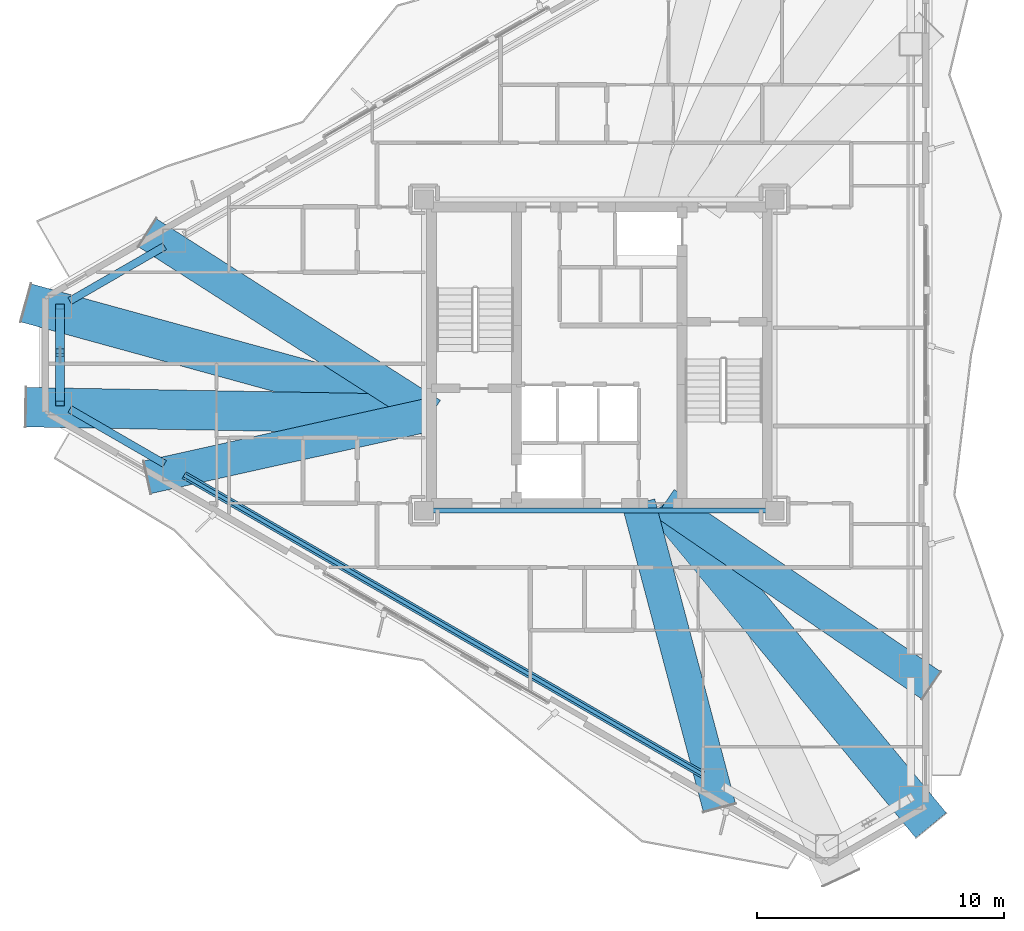
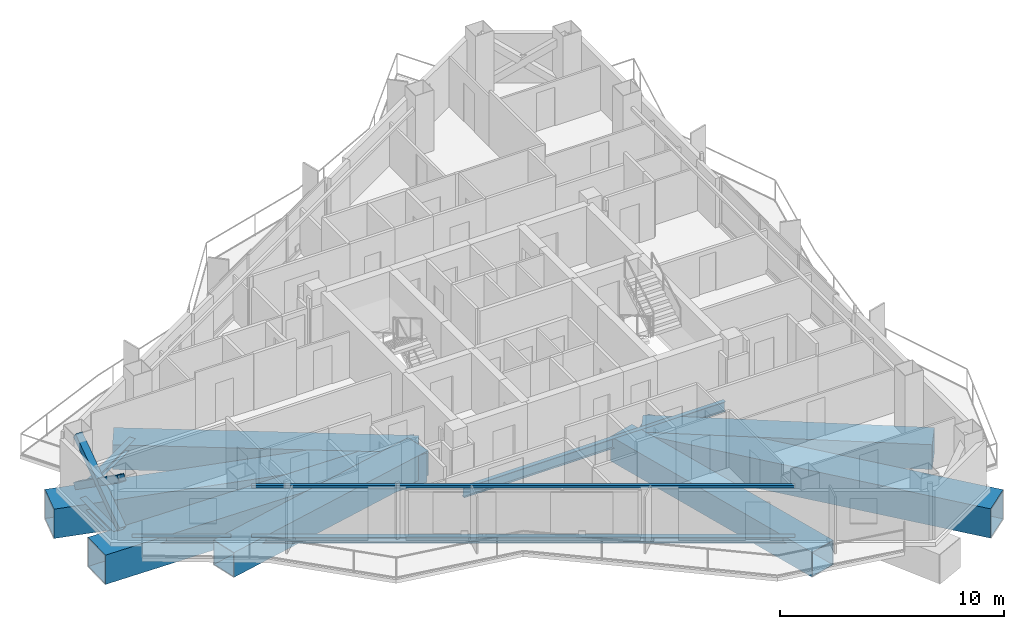
# One storey, part 5 of 21: 13 beams, 3 members.
"""IFC4 building model written with IfcOpenShell, lengths in metres."""

import ifcopenshell
import ifcopenshell.guid

model = None  # the IFC model being written
_history = None  # IfcOwnerHistory: only IFC2X3 demands one
_inside = {}  # id of a spatial element -> (the spatial element, [elements in it])
_under = {}  # id of a project, library or spatial element -> (it, [spatial elements below it])
_declared = {}  # id of a project -> (the project, [libraries it declares])
_typed = {}  # id of a type object -> (the type object, [elements of that type])
_made_of = {}  # id of a material, layer set ... -> (it, [elements and type objects made of it])


def new_model(schema):
    """Start an empty IFC model of exactly this schema.

    Asked for "IFC4X3", IfcOpenShell would pick the latest addendum, in which some entities
    have other attributes; the version numbers below select the first issue.
    IFC2X3 requires an IfcOwnerHistory on every rooted entity: one is made here for all.
    """
    global model, _history
    if schema == "IFC4X3":
        model = ifcopenshell.file(schema_version=(4, 3, 0, 0))
    else:
        model = ifcopenshell.file(schema=schema)
    _inside.clear()
    _under.clear()
    _declared.clear()
    _typed.clear()
    _made_of.clear()
    _history = None
    if model.schema == "IFC2X3":
        org = make("IfcOrganization", Name="unknown")
        user = make(
            "IfcPersonAndOrganization",
            ThePerson=make("IfcPerson", FamilyName="unknown"),
            TheOrganization=org,
        )
        app = make(
            "IfcApplication",
            ApplicationDeveloper=org,
            Version="unknown",
            ApplicationFullName="unknown",
            ApplicationIdentifier="unknown",
        )
        _history = make(
            "IfcOwnerHistory",
            OwningUser=user,
            OwningApplication=app,
            ChangeAction="ADDED",
            CreationDate=0,
        )
    return model


def make(cls, **values):
    """One entity of the class cls with the attributes given. An attribute that is None is left unset."""
    return model.create_entity(
        cls, **{name: value for name, value in values.items() if value is not None}
    )


def rooted(cls, **values):
    """An entity with a GlobalId (a new one), such as an element, a storey or a relation."""
    return make(cls, GlobalId=ifcopenshell.guid.new(), OwnerHistory=_history, **values)


def si_unit(unit_type, name, prefix=None):
    """IfcSIUnit, for example si_unit("LENGTHUNIT", "METRE", prefix="MILLI")."""
    return make("IfcSIUnit", UnitType=unit_type, Prefix=prefix, Name=name)


def assignment(units):
    """IfcUnitAssignment: the units of a project."""
    return None if units is None else make("IfcUnitAssignment", Units=units)


def point(xyz):
    """IfcCartesianPoint."""
    return None if xyz is None else make("IfcCartesianPoint", Coordinates=xyz)


def direction(xyz):
    """IfcDirection."""
    return None if xyz is None else make("IfcDirection", DirectionRatios=xyz)


def frame(location, z_axis=None, x_axis=None):
    """IfcAxis2Placement3D, a coordinate frame: its origin and axes. An axis left out is left unset."""
    return make(
        "IfcAxis2Placement3D",
        Location=point(location),
        Axis=direction(z_axis),
        RefDirection=direction(x_axis),
    )


def frame_2d(location, x_axis=None):
    """IfcAxis2Placement2D, a coordinate frame in the plane: its origin and x axis."""
    return make(
        "IfcAxis2Placement2D", Location=point(location), RefDirection=direction(x_axis)
    )


def origin():
    """The frame at (0, 0, 0) with its axes left unset."""
    return frame((0.0, 0.0, 0.0))


def origin_2d():
    """The frame at (0, 0) in the plane with its x axis left unset."""
    return frame_2d((0.0, 0.0))


def place(relative_to, where):
    """IfcLocalPlacement: puts the frame where relative to a parent placement (None: the world)."""
    return make(
        "IfcLocalPlacement", PlacementRelTo=relative_to, RelativePlacement=where
    )


def context(
    kind, dimensions, precision=None, world=None, true_north=None, identifier=None
):
    """IfcGeometricRepresentationContext, for example the 3D "Model" context."""
    return make(
        "IfcGeometricRepresentationContext",
        ContextIdentifier=identifier,
        ContextType=kind,
        CoordinateSpaceDimension=dimensions,
        Precision=precision,
        WorldCoordinateSystem=world,
        TrueNorth=true_north,
    )


def subcontext(parent, identifier, kind, view, scale=None):
    """IfcGeometricRepresentationSubContext, for example "Body" below "Model"."""
    return make(
        "IfcGeometricRepresentationSubContext",
        ContextIdentifier=identifier,
        ContextType=kind,
        ParentContext=parent,
        TargetScale=scale,
        TargetView=view,
    )


def project(units=None, contexts=None):
    """IfcProject with its units and contexts."""
    return rooted(
        "IfcProject",
        Name="project",
        RepresentationContexts=contexts,
        UnitsInContext=assignment(units),
    )


def spatial(cls, under=None, at=None, **own):
    """A site, building, storey or space (cls), placed at a placement, below another one or the project."""
    s = rooted(cls, ObjectPlacement=at, **own)
    if under is not None:
        _under.setdefault(under.id(), (under, []))[1].append(s)
    return s


def profile(cls, at=None, kind="AREA", **sizes):
    """A parametric profile (cls). Its sizes go by their IFC names, for example OverallWidth=200.0."""
    return make(cls, ProfileType=kind, Position=at, **sizes)


def hollow_rectangle(**sizes):
    """IfcRectangleHollowProfileDef."""
    return profile("IfcRectangleHollowProfileDef", **sizes)


def i_section(**sizes):
    """IfcIShapeProfileDef."""
    return profile("IfcIShapeProfileDef", **sizes)


def extrude(swept, where, along, depth):
    """IfcExtrudedAreaSolid: the profile swept, set in the frame where, extruded along a direction by depth."""
    return make(
        "IfcExtrudedAreaSolid",
        SweptArea=swept,
        Position=where,
        ExtrudedDirection=direction(along),
        Depth=depth,
    )


def shape(context_of_items, identifier, shape_type, items):
    """IfcShapeRepresentation: the items that make up one representation, for example the "Body"."""
    return make(
        "IfcShapeRepresentation",
        ContextOfItems=context_of_items,
        RepresentationIdentifier=identifier,
        RepresentationType=shape_type,
        Items=items,
    )


def material(Name=None, Category=None):
    """IfcMaterial."""
    return make("IfcMaterial", Name=Name, Category=Category)


def material_profile(
    of_material, cross_section, Name=None, Category=None, Priority=None
):
    """IfcMaterialProfile: a cross section and its material."""
    return make(
        "IfcMaterialProfile",
        Name=Name,
        Material=of_material,
        Profile=cross_section,
        Priority=Priority,
        Category=Category,
    )


def profile_set(profiles, Name=None, composite=None):
    """IfcMaterialProfileSet."""
    return make(
        "IfcMaterialProfileSet",
        Name=Name,
        MaterialProfiles=profiles,
        CompositeProfile=composite,
    )


def made_of(thing, what):
    """Note that an element or type object is made of a material, layer set ...; save() writes the relation."""
    if what is not None:
        _made_of.setdefault(what.id(), (what, []))[1].append(thing)
    return thing


def type_object(cls, material=None, **own):
    """A type object (cls), such as IfcWallType, which elements share."""
    return made_of(rooted(cls, **own), material)


def element(
    cls,
    number,
    at=None,
    inside=None,
    cuts=None,
    type_object=None,
    material=None,
    context=None,
    identifier="Body",
    shape_type=None,
    held_by="IfcProductDefinitionShape",
    body=None,
    shapes=None,
    **own,
):
    """One element of the class cls, such as IfcWall. Its Tag is "e" and its number.

    at: its placement. inside: the storey or other place that contains it. cuts: it is an
    opening in that element (IfcRelVoidsElement). A single representation is given by context,
    identifier, shape_type and body (its items); several are given by shapes. held_by: the class
    of the entity that holds the representations. save() writes the other relations.
    """
    e = rooted(cls, Tag="e%d" % number, ObjectPlacement=at, **own)
    if body is not None:
        shapes = [shape(context, identifier, shape_type, body)]
    if shapes is not None:
        e.Representation = make(held_by, Representations=shapes)
    if inside is not None:
        _inside.setdefault(inside.id(), (inside, []))[1].append(e)
    if cuts is not None:
        rooted(
            "IfcRelVoidsElement", RelatingBuildingElement=cuts, RelatedOpeningElement=e
        )
    if type_object is not None:
        _typed.setdefault(type_object.id(), (type_object, []))[1].append(e)
    return made_of(e, material)


def aggregate(whole, parts):
    """IfcRelAggregates: a whole, such as a stair, and the parts it consists of."""
    return rooted("IfcRelAggregates", RelatingObject=whole, RelatedObjects=parts)


def save(model, path):
    """Write the relations noted so far, then the file.

    IfcRelAggregates (storeys below a building ...), IfcRelContainedInSpatialStructure (elements
    in a storey), IfcRelDefinesByType, IfcRelAssociatesMaterial and IfcRelDeclares: one each for
    every whole, place, type object, material and project.
    """
    for whole, parts in _under.values():
        aggregate(whole, parts)
    for where, things in _inside.values():
        rooted(
            "IfcRelContainedInSpatialStructure",
            RelatedElements=things,
            RelatingStructure=where,
        )
    for kind, things in _typed.values():
        rooted("IfcRelDefinesByType", RelatedObjects=things, RelatingType=kind)
    for what, things in _made_of.values():
        rooted("IfcRelAssociatesMaterial", RelatedObjects=things, RelatingMaterial=what)
    for by, libraries in _declared.values():
        rooted("IfcRelDeclares", RelatingContext=by, RelatedDefinitions=libraries)
    model.write(path)


model = new_model("IFC4")

# Units and contexts
model_context = context("Model", 3, precision=1e-05, world=origin(), true_north=direction((0.0, 1.0)))
body_context = subcontext(model_context, "Body", "Model", "MODEL_VIEW")
ifc_project = project(units=[si_unit("LENGTHUNIT", "METRE"), si_unit("AREAUNIT", "SQUARE_METRE"), si_unit("VOLUMEUNIT", "CUBIC_METRE"), si_unit("PLANEANGLEUNIT", "RADIAN"), si_unit("MASSUNIT", "GRAM", prefix="KILO")], contexts=[model_context])

# Site, building, storey
site_placement = place(None, origin())
site = spatial("IfcSite", under=ifc_project, at=site_placement, CompositionType="ELEMENT")
building_placement = place(site_placement, origin())
building = spatial("IfcBuilding", under=site, at=building_placement, Name="Mersakhor Tower and Convention Hall", CompositionType="ELEMENT")
storey_placement = place(building_placement, frame((0.0, 0.0, 121.199951171875)))
storey = spatial("IfcBuildingStorey", under=building, at=storey_placement, Name="L33", CompositionType="ELEMENT", Elevation=121.199951171875)

# Beams
ifc_material_1 = material(Name="Steel S355", Category="steel")
ifc_material_profile_1 = material_profile(ifc_material_1, i_section(OverallWidth=0.2099609375, OverallDepth=0.53662109375, WebThickness=0.0107421875, FlangeThickness=0.017333984375, at=origin_2d()), Name="UB 533x210x101")
ifc_profile_set_1 = profile_set([ifc_material_profile_1], Name="Steel S355")
beam_type_1 = type_object("IfcBeamType", Name="BM-FB-533", PredefinedType="BEAM", material=ifc_profile_set_1)
beam_1_placement = place(storey_placement, frame((35.7451171875, 20.449951171875, -0.50830078125), z_axis=(-1.0, 0.0, 0.0), x_axis=(0.0, -1.0, 0.0)))
element("IfcBeam", 1, at=beam_1_placement, inside=storey, type_object=beam_type_1, Name="L33 Core Ring Tie Beam CRB-4", PredefinedType="BEAM", context=body_context, shape_type="SweptSolid", body=[
    extrude(i_section(OverallWidth=0.2099609375, OverallDepth=0.53662109375, WebThickness=0.0107421875, FlangeThickness=0.017333984375, at=origin_2d()), origin(), (0.0, 0.0, 1.0), 13.490234375),
])
ifc_material_2 = material(Name="Steel S355", Category="steel")
ifc_material_profile_2 = material_profile(ifc_material_2, hollow_rectangle(XDim=0.14990234375, YDim=0.14990234375, WallThickness=0.010009765625, at=origin_2d()), Name="SHS 150x150x10")
ifc_profile_set_2 = profile_set([ifc_material_profile_2], Name="Steel S355")
beam_type_2 = type_object("IfcBeamType", Name="BM-GRT-SHS150", PredefinedType="USERDEFINED", material=ifc_profile_set_2)
beam_2_placement = place(storey_placement, frame((33.198486328125, 9.754638671875, 2.47998046875), z_axis=(-0.866027433267, 0.499996484816, 0.0), x_axis=(-0.499996484816, -0.866027433267, 0.0)))
element("IfcBeam", 2, at=beam_2_placement, inside=storey, type_object=beam_type_2, Name="L33 Facade Support Girt GRT-F3", ObjectType="GIRT", PredefinedType="USERDEFINED", context=body_context, shape_type="SweptSolid", body=[
    extrude(hollow_rectangle(XDim=0.14990234375, YDim=0.14990234375, WallThickness=0.010009765625, at=origin_2d()), origin(), (0.0, 0.0, 1.0), 24.267333984375),
])
ifc_material_3 = material(Name="Steel S355", Category="steel")
ifc_material_profile_3 = material_profile(ifc_material_3, i_section(OverallWidth=0.30908203125, OverallDepth=0.320556640625, WebThickness=0.013916015625, FlangeThickness=0.021728515625, at=origin_2d()), Name="UC 305x305x137")
ifc_profile_set_3 = profile_set([ifc_material_profile_3], Name="Steel S355")
beam_type_3 = type_object("IfcBeamType", Name="BM-SPD-UC305", PredefinedType="SPANDREL", material=ifc_profile_set_3)
beam_3_placement = place(storey_placement, frame((7.55419921875, 28.939697265625, -0.400146484375), z_axis=(0.866028798401, 0.499994120305, 0.0), x_axis=(-0.499994120305, 0.866028798401, 0.0)))
element("IfcBeam", 3, at=beam_3_placement, inside=storey, type_object=beam_type_3, Name="L33 Perimeter Spandrel Beam SPB-01", PredefinedType="SPANDREL", context=body_context, shape_type="SweptSolid", body=[
    extrude(i_section(OverallWidth=0.30908203125, OverallDepth=0.320556640625, WebThickness=0.013916015625, FlangeThickness=0.021728515625, at=origin_2d()), origin(), (0.0, 0.0, 1.0), 4.43408203125),
])
beam_4_placement = place(storey_placement, frame((33.198486328125, 9.754638671875, -0.400146484375), z_axis=(-0.866027433267, 0.499996484816, 0.0), x_axis=(-0.499996484816, -0.866027433267, 0.0)))
element("IfcBeam", 4, at=beam_4_placement, inside=storey, type_object=beam_type_3, Name="L33 Perimeter Spandrel Beam SPB-10", PredefinedType="SPANDREL", context=body_context, shape_type="SweptSolid", body=[
    extrude(i_section(OverallWidth=0.30908203125, OverallDepth=0.320556640625, WebThickness=0.013916015625, FlangeThickness=0.021728515625, at=origin_2d()), origin(), (0.0, 0.0, 1.0), 24.267333984375),
])
beam_5_placement = place(storey_placement, frame((11.394287109375, 22.34326171875, -0.400146484375), z_axis=(-0.866028798401, 0.499994120305, 0.0), x_axis=(-0.499994120305, -0.866028798401, 0.0)))
element("IfcBeam", 5, at=beam_5_placement, inside=storey, type_object=beam_type_3, Name="L33 Perimeter Spandrel Beam SPB-11", PredefinedType="SPANDREL", context=body_context, shape_type="SweptSolid", body=[
    extrude(i_section(OverallWidth=0.30908203125, OverallDepth=0.320556640625, WebThickness=0.013916015625, FlangeThickness=0.021728515625, at=origin_2d()), origin(), (0.0, 0.0, 1.0), 4.43408203125),
])
beam_6_placement = place(storey_placement, frame((7.160400390625, 25.24267578125, -0.400146484375), z_axis=(0.0, 1.0, 0.0), x_axis=(-1.0, 0.0, 0.0)))
element("IfcBeam", 6, at=beam_6_placement, inside=storey, type_object=beam_type_3, Name="L33 Perimeter Spandrel Beam SPB-12", PredefinedType="SPANDREL", context=body_context, shape_type="SweptSolid", body=[
    extrude(i_section(OverallWidth=0.30908203125, OverallDepth=0.320556640625, WebThickness=0.013916015625, FlangeThickness=0.021728515625, at=origin_2d()), origin(), (0.0, 0.0, 1.0), 3.0146484375),
])
ifc_material_4 = material(Name="Steel S460", Category="steel")
ifc_material_profile_4 = material_profile(ifc_material_4, hollow_rectangle(XDim=1.35009765625, YDim=1.35009765625, WallThickness=0.035888671875, at=origin_2d()), Name="SHS 1350x1350x36")
ifc_profile_set_4 = profile_set([ifc_material_profile_4], Name="Steel S460")
beam_type_4 = type_object("IfcBeamType", Name="BM-TR-BOX1350", PredefinedType="BEAM", material=ifc_profile_set_4)
beam_7_placement = place(storey_placement, frame((10.702392578125, 31.698974609375, -0.9150390625), z_axis=(0.842589363882, -0.538556555872, 0.0), x_axis=(0.538556555872, 0.842589363882, 0.0)))
element("IfcBeam", 7, at=beam_7_placement, inside=storey, type_object=beam_type_4, Name="L33 Taper Step Transfer Girder STG-02", PredefinedType="BEAM", context=body_context, shape_type="SweptSolid", body=[
    extrude(hollow_rectangle(XDim=1.35009765625, YDim=1.35009765625, WallThickness=0.035888671875, at=origin_2d()), origin(), (0.0, 0.0, 1.0), 13.6455078125),
])
beam_8_placement = place(storey_placement, frame((42.4345703125, 13.37841796875, -0.9150390625), z_axis=(-0.825571215923, 0.564297942083, 0.0), x_axis=(-0.564297942083, -0.825571215923, 0.0)))
element("IfcBeam", 8, at=beam_8_placement, inside=storey, type_object=beam_type_4, Name="L33 Taper Step Transfer Girder STG-07", PredefinedType="BEAM", context=body_context, shape_type="SweptSolid", body=[
    extrude(hollow_rectangle(XDim=1.35009765625, YDim=1.35009765625, WallThickness=0.035888671875, at=origin_2d()), origin(), (0.0, 0.0, 1.0), 13.063232421875),
])
beam_9_placement = place(storey_placement, frame((33.86279296875, 8.429443359375, -0.9150390625), z_axis=(-0.2565478983, 0.966531518305, 0.0), x_axis=(-0.966531518305, -0.2565478983, 0.0)))
element("IfcBeam", 9, at=beam_9_placement, inside=storey, type_object=beam_type_4, Name="L33 Taper Step Transfer Girder STG-10", PredefinedType="BEAM", context=body_context, shape_type="SweptSolid", body=[
    extrude(hollow_rectangle(XDim=1.35009765625, YDim=1.35009765625, WallThickness=0.035888671875, at=origin_2d()), origin(), (0.0, 0.0, 1.0), 12.7470703125),
])
beam_10_placement = place(storey_placement, frame((10.702392578125, 21.801025390625, -0.9150390625), z_axis=(0.976293766141, 0.216449722094, 0.0), x_axis=(-0.216449722094, 0.976293766141, 0.0)))
element("IfcBeam", 10, at=beam_10_placement, inside=storey, type_object=beam_type_4, Name="L33 Taper Step Transfer Girder STG-11", PredefinedType="BEAM", context=body_context, shape_type="SweptSolid", body=[
    extrude(hollow_rectangle(XDim=1.35009765625, YDim=1.35009765625, WallThickness=0.035888671875, at=origin_2d()), origin(), (0.0, 0.0, 1.0), 11.77685546875),
])
ifc_material_5 = material(Name="Steel S460", Category="steel")
ifc_material_profile_5 = material_profile(ifc_material_5, hollow_rectangle(XDim=1.60009765625, YDim=1.60009765625, WallThickness=0.0400390625, at=origin_2d()), Name="SHS 1600x1600x40")
ifc_profile_set_5 = profile_set([ifc_material_profile_5], Name="Steel S460")
beam_type_5 = type_object("IfcBeamType", Name="BM-TR-BOX1600", PredefinedType="BEAM", material=ifc_profile_set_5)
beam_11_placement = place(storey_placement, frame((5.78662109375, 28.86083984375, -1.0400390625), z_axis=(0.964249291257, -0.264996800566, 0.0), x_axis=(0.264996800566, 0.964249291257, 0.0)))
element("IfcBeam", 11, at=beam_11_placement, inside=storey, type_object=beam_type_5, Name="L33 Taper Step Transfer Girder STG-01", PredefinedType="BEAM", context=body_context, shape_type="SweptSolid", body=[
    extrude(hollow_rectangle(XDim=1.60009765625, YDim=1.60009765625, WallThickness=0.0400390625, at=origin_2d()), origin(), (0.0, 0.0, 1.0), 17.02197265625),
])
beam_12_placement = place(storey_placement, frame((42.4345703125, 7.701904296875, -1.0400390625), z_axis=(-0.63708529599, 0.770793309281, 0.0), x_axis=(-0.770793309281, -0.63708529599, 0.0)))
element("IfcBeam", 12, at=beam_12_placement, inside=storey, type_object=beam_type_5, Name="L33 Taper Step Transfer Girder STG-08", PredefinedType="BEAM", context=body_context, shape_type="SweptSolid", body=[
    extrude(hollow_rectangle(XDim=1.60009765625, YDim=1.60009765625, WallThickness=0.0400390625, at=origin_2d()), origin(), (0.0, 0.0, 1.0), 16.92822265625),
])
beam_13_placement = place(storey_placement, frame((5.78662109375, 24.63916015625, -1.0400390625), z_axis=(0.999844954526, -0.017608716866, 0.0), x_axis=(0.017608716866, 0.999844954526, 0.0)))
element("IfcBeam", 13, at=beam_13_placement, inside=storey, type_object=beam_type_5, Name="L33 Taper Step Transfer Girder STG-12", PredefinedType="BEAM", context=body_context, shape_type="SweptSolid", body=[
    extrude(hollow_rectangle(XDim=1.60009765625, YDim=1.60009765625, WallThickness=0.0400390625, at=origin_2d()), origin(), (0.0, 0.0, 1.0), 16.415771484375),
])

# Members
ifc_material_6 = material(Name="Steel S460", Category="steel")
ifc_material_profile_6 = material_profile(ifc_material_6, hollow_rectangle(XDim=0.35009765625, YDim=0.35009765625, WallThickness=0.02001953125, at=origin_2d()), Name="SHS 350x350x20")
ifc_profile_set_6 = profile_set([ifc_material_profile_6], Name="Steel S460")
member_type = type_object("IfcMemberType", Name="MB-BRC-SHS350", PredefinedType="BRACE", material=ifc_profile_set_6)
member_placement = place(storey_placement, frame((7.160400390625, 24.78759765625, 0.150146484375), z_axis=(0.0, 0.817991748952, 0.575229952843), x_axis=(-1.0, 0.0, 0.0)))
element("IfcMember", 14, at=member_placement, inside=storey, type_object=member_type, Name="L33 Chamfer Braced Frame Diagonal CB-3A", PredefinedType="BRACE", context=body_context, shape_type="SweptSolid", body=[
    extrude(hollow_rectangle(XDim=0.35009765625, YDim=0.35009765625, WallThickness=0.02001953125, at=origin_2d()), origin(), (0.0, 0.0, 1.0), 4.798095703125),
])
for number, where, z_axis, x_axis, name in (
    (15, (7.160400390625, 28.71240234375, 0.150146484375), (0.0, -0.818012878097, 0.575199905483), (1.0, 0.0, 0.0), "L33 Chamfer Braced Frame Diagonal CB-3B Lower Half"),
    (16, (7.160400390625, 26.59130859375, 1.6416015625), (0.0, -0.817960781121, 0.575273987372), (1.0, 0.0, 0.0), "L33 Chamfer Braced Frame Diagonal CB-3B Upper Half"),
):
    element("IfcMember", number, at=place(storey_placement, frame(where, z_axis=z_axis, x_axis=x_axis)), inside=storey, type_object=member_type, Name=name, PredefinedType="BRACE", context=body_context, shape_type="SweptSolid", body=[
        extrude(hollow_rectangle(XDim=0.35009765625, YDim=0.35009765625, WallThickness=0.02001953125, at=origin_2d()), origin(), (0.0, 0.0, 1.0), 2.205078125),
    ])

save(model, "model.ifc")
